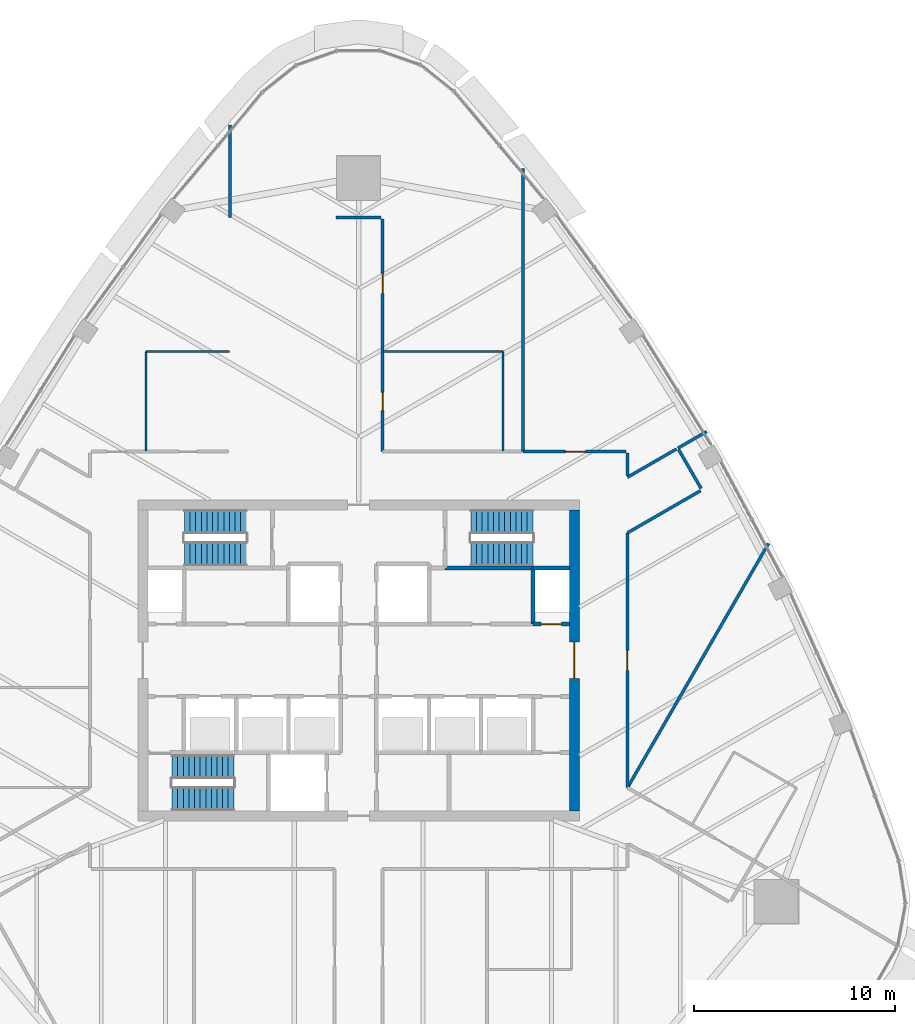
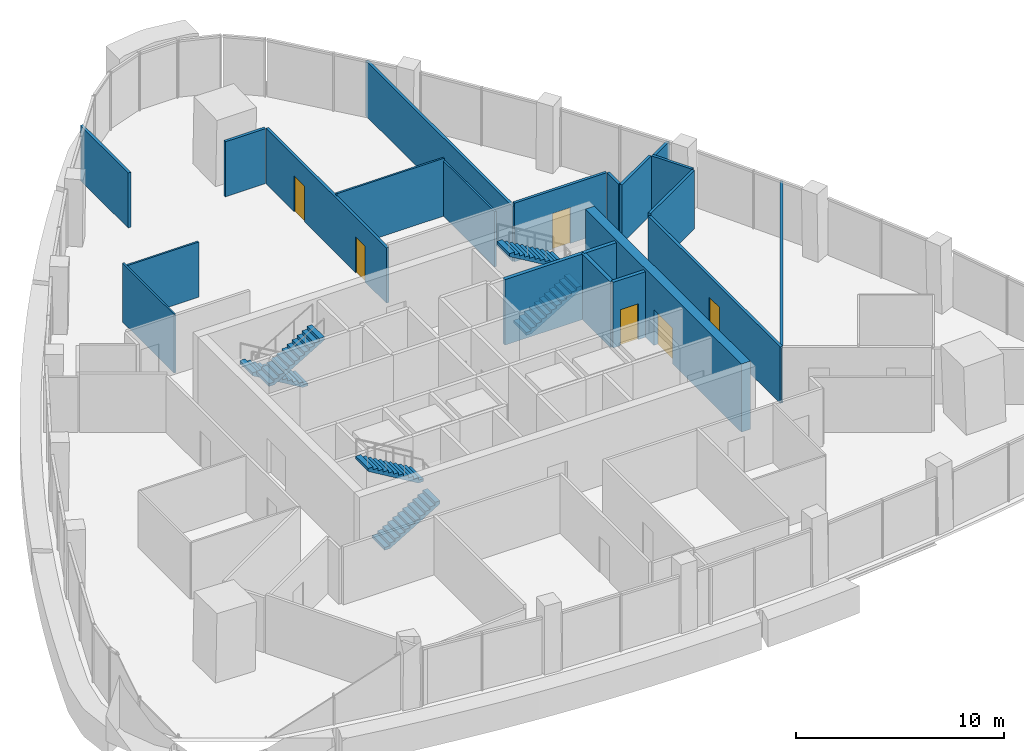
# One storey, part 11 of 15: 21 walls, 6 doors, 6 stair flights, 6 openings, 3 elements without a shape of their own.
"""IFC4 building model written with IfcOpenShell, lengths in metres."""

import ifcopenshell
import ifcopenshell.guid

model = None  # the IFC model being written
_history = None  # IfcOwnerHistory: only IFC2X3 demands one
_inside = {}  # id of a spatial element -> (the spatial element, [elements in it])
_under = {}  # id of a project, library or spatial element -> (it, [spatial elements below it])
_declared = {}  # id of a project -> (the project, [libraries it declares])
_typed = {}  # id of a type object -> (the type object, [elements of that type])
_made_of = {}  # id of a material, layer set ... -> (it, [elements and type objects made of it])


def new_model(schema):
    """Start an empty IFC model of exactly this schema.

    Asked for "IFC4X3", IfcOpenShell would pick the latest addendum, in which some entities
    have other attributes; the version numbers below select the first issue.
    IFC2X3 requires an IfcOwnerHistory on every rooted entity: one is made here for all.
    """
    global model, _history
    if schema == "IFC4X3":
        model = ifcopenshell.file(schema_version=(4, 3, 0, 0))
    else:
        model = ifcopenshell.file(schema=schema)
    _inside.clear()
    _under.clear()
    _declared.clear()
    _typed.clear()
    _made_of.clear()
    _history = None
    if model.schema == "IFC2X3":
        org = make("IfcOrganization", Name="unknown")
        user = make(
            "IfcPersonAndOrganization",
            ThePerson=make("IfcPerson", FamilyName="unknown"),
            TheOrganization=org,
        )
        app = make(
            "IfcApplication",
            ApplicationDeveloper=org,
            Version="unknown",
            ApplicationFullName="unknown",
            ApplicationIdentifier="unknown",
        )
        _history = make(
            "IfcOwnerHistory",
            OwningUser=user,
            OwningApplication=app,
            ChangeAction="ADDED",
            CreationDate=0,
        )
    return model


def make(cls, **values):
    """One entity of the class cls with the attributes given. An attribute that is None is left unset."""
    return model.create_entity(
        cls, **{name: value for name, value in values.items() if value is not None}
    )


def rooted(cls, **values):
    """An entity with a GlobalId (a new one), such as an element, a storey or a relation."""
    return make(cls, GlobalId=ifcopenshell.guid.new(), OwnerHistory=_history, **values)


def si_unit(unit_type, name, prefix=None):
    """IfcSIUnit, for example si_unit("LENGTHUNIT", "METRE", prefix="MILLI")."""
    return make("IfcSIUnit", UnitType=unit_type, Prefix=prefix, Name=name)


def assignment(units):
    """IfcUnitAssignment: the units of a project."""
    return None if units is None else make("IfcUnitAssignment", Units=units)


def point(xyz):
    """IfcCartesianPoint."""
    return None if xyz is None else make("IfcCartesianPoint", Coordinates=xyz)


def direction(xyz):
    """IfcDirection."""
    return None if xyz is None else make("IfcDirection", DirectionRatios=xyz)


def frame(location, z_axis=None, x_axis=None):
    """IfcAxis2Placement3D, a coordinate frame: its origin and axes. An axis left out is left unset."""
    return make(
        "IfcAxis2Placement3D",
        Location=point(location),
        Axis=direction(z_axis),
        RefDirection=direction(x_axis),
    )


def frame_2d(location, x_axis=None):
    """IfcAxis2Placement2D, a coordinate frame in the plane: its origin and x axis."""
    return make(
        "IfcAxis2Placement2D", Location=point(location), RefDirection=direction(x_axis)
    )


def origin():
    """The frame at (0, 0, 0) with its axes left unset."""
    return frame((0.0, 0.0, 0.0))


def place(relative_to, where):
    """IfcLocalPlacement: puts the frame where relative to a parent placement (None: the world)."""
    return make(
        "IfcLocalPlacement", PlacementRelTo=relative_to, RelativePlacement=where
    )


def context(
    kind, dimensions, precision=None, world=None, true_north=None, identifier=None
):
    """IfcGeometricRepresentationContext, for example the 3D "Model" context."""
    return make(
        "IfcGeometricRepresentationContext",
        ContextIdentifier=identifier,
        ContextType=kind,
        CoordinateSpaceDimension=dimensions,
        Precision=precision,
        WorldCoordinateSystem=world,
        TrueNorth=true_north,
    )


def subcontext(parent, identifier, kind, view, scale=None):
    """IfcGeometricRepresentationSubContext, for example "Body" below "Model"."""
    return make(
        "IfcGeometricRepresentationSubContext",
        ContextIdentifier=identifier,
        ContextType=kind,
        ParentContext=parent,
        TargetScale=scale,
        TargetView=view,
    )


def project(units=None, contexts=None):
    """IfcProject with its units and contexts."""
    return rooted(
        "IfcProject",
        Name="project",
        RepresentationContexts=contexts,
        UnitsInContext=assignment(units),
    )


def spatial(cls, under=None, at=None, **own):
    """A site, building, storey or space (cls), placed at a placement, below another one or the project."""
    s = rooted(cls, ObjectPlacement=at, **own)
    if under is not None:
        _under.setdefault(under.id(), (under, []))[1].append(s)
    return s


def polyline(points):
    """IfcPolyline through the points."""
    return make("IfcPolyline", Points=[point(p) for p in points])


def profile(cls, at=None, kind="AREA", **sizes):
    """A parametric profile (cls). Its sizes go by their IFC names, for example OverallWidth=200.0."""
    return make(cls, ProfileType=kind, Position=at, **sizes)


def rectangle(**sizes):
    """IfcRectangleProfileDef."""
    return profile("IfcRectangleProfileDef", **sizes)


def outline(outer, holes=None, kind="AREA"):
    """IfcArbitraryClosedProfileDef: a profile drawn as a closed curve; with holes, ...WithVoids."""
    if holes is None:
        return make("IfcArbitraryClosedProfileDef", ProfileType=kind, OuterCurve=outer)
    return make(
        "IfcArbitraryProfileDefWithVoids",
        ProfileType=kind,
        OuterCurve=outer,
        InnerCurves=holes,
    )


def extrude(swept, where, along, depth):
    """IfcExtrudedAreaSolid: the profile swept, set in the frame where, extruded along a direction by depth."""
    return make(
        "IfcExtrudedAreaSolid",
        SweptArea=swept,
        Position=where,
        ExtrudedDirection=direction(along),
        Depth=depth,
    )


def shape(context_of_items, identifier, shape_type, items):
    """IfcShapeRepresentation: the items that make up one representation, for example the "Body"."""
    return make(
        "IfcShapeRepresentation",
        ContextOfItems=context_of_items,
        RepresentationIdentifier=identifier,
        RepresentationType=shape_type,
        Items=items,
    )


def material(Name=None, Category=None):
    """IfcMaterial."""
    return make("IfcMaterial", Name=Name, Category=Category)


def layer(
    of_material, thickness, ventilated=None, Name=None, Category=None, Priority=None
):
    """IfcMaterialLayer: one layer of a wall or slab, of a material (None: an air gap)."""
    return make(
        "IfcMaterialLayer",
        Material=of_material,
        LayerThickness=thickness,
        IsVentilated=ventilated,
        Name=Name,
        Category=Category,
        Priority=Priority,
    )


def layer_set(layers, Name=None):
    """IfcMaterialLayerSet."""
    return make("IfcMaterialLayerSet", MaterialLayers=layers, LayerSetName=Name)


def made_of(thing, what):
    """Note that an element or type object is made of a material, layer set ...; save() writes the relation."""
    if what is not None:
        _made_of.setdefault(what.id(), (what, []))[1].append(thing)
    return thing


def type_object(cls, material=None, **own):
    """A type object (cls), such as IfcWallType, which elements share."""
    return made_of(rooted(cls, **own), material)


def element(
    cls,
    number,
    at=None,
    inside=None,
    cuts=None,
    type_object=None,
    material=None,
    context=None,
    identifier="Body",
    shape_type=None,
    held_by="IfcProductDefinitionShape",
    body=None,
    shapes=None,
    **own,
):
    """One element of the class cls, such as IfcWall. Its Tag is "e" and its number.

    at: its placement. inside: the storey or other place that contains it. cuts: it is an
    opening in that element (IfcRelVoidsElement). A single representation is given by context,
    identifier, shape_type and body (its items); several are given by shapes. held_by: the class
    of the entity that holds the representations. save() writes the other relations.
    """
    e = rooted(cls, Tag="e%d" % number, ObjectPlacement=at, **own)
    if body is not None:
        shapes = [shape(context, identifier, shape_type, body)]
    if shapes is not None:
        e.Representation = make(held_by, Representations=shapes)
    if inside is not None:
        _inside.setdefault(inside.id(), (inside, []))[1].append(e)
    if cuts is not None:
        rooted(
            "IfcRelVoidsElement", RelatingBuildingElement=cuts, RelatedOpeningElement=e
        )
    if type_object is not None:
        _typed.setdefault(type_object.id(), (type_object, []))[1].append(e)
    return made_of(e, material)


def fill(opening, filler):
    """IfcRelFillsElement: the door or window that sits in an opening."""
    return rooted(
        "IfcRelFillsElement",
        RelatingOpeningElement=opening,
        RelatedBuildingElement=filler,
    )


def aggregate(whole, parts):
    """IfcRelAggregates: a whole, such as a stair, and the parts it consists of."""
    return rooted("IfcRelAggregates", RelatingObject=whole, RelatedObjects=parts)


def save(model, path):
    """Write the relations noted so far, then the file.

    IfcRelAggregates (storeys below a building ...), IfcRelContainedInSpatialStructure (elements
    in a storey), IfcRelDefinesByType, IfcRelAssociatesMaterial and IfcRelDeclares: one each for
    every whole, place, type object, material and project.
    """
    for whole, parts in _under.values():
        aggregate(whole, parts)
    for where, things in _inside.values():
        rooted(
            "IfcRelContainedInSpatialStructure",
            RelatedElements=things,
            RelatingStructure=where,
        )
    for kind, things in _typed.values():
        rooted("IfcRelDefinesByType", RelatedObjects=things, RelatingType=kind)
    for what, things in _made_of.values():
        rooted("IfcRelAssociatesMaterial", RelatedObjects=things, RelatingMaterial=what)
    for by, libraries in _declared.values():
        rooted("IfcRelDeclares", RelatingContext=by, RelatedDefinitions=libraries)
    model.write(path)


model = new_model("IFC4")

# Units and contexts
model_context = context("Model", 3, precision=1e-05, world=origin(), true_north=direction((0.0, 1.0)))
body_context = subcontext(model_context, "Body", "Model", "MODEL_VIEW")
ifc_project = project(units=[si_unit("LENGTHUNIT", "METRE"), si_unit("AREAUNIT", "SQUARE_METRE"), si_unit("VOLUMEUNIT", "CUBIC_METRE"), si_unit("PLANEANGLEUNIT", "RADIAN"), si_unit("MASSUNIT", "GRAM", prefix="KILO")], contexts=[model_context])

# Site, building, storey
site_placement = place(None, origin())
site = spatial("IfcSite", under=ifc_project, at=site_placement, CompositionType="ELEMENT")
building_placement = place(site_placement, origin())
building = spatial("IfcBuilding", under=site, at=building_placement, Name="Sierra Prisma Convention Tower", CompositionType="ELEMENT")
storey_placement = place(building_placement, frame((0.0, 0.0, 283.0)))
storey = spatial("IfcBuildingStorey", under=building, at=storey_placement, Name="L64", CompositionType="ELEMENT", Elevation=283.0)

# Walls
ifc_material_1 = material(Name="Gypsum board partition", Category="gypsum")
ifc_layer_1 = layer(ifc_material_1, 0.10009765625)
ifc_layer_set_1 = layer_set([ifc_layer_1], Name="Bathroom partition 100")
wall_type_1 = type_object("IfcWallType", Name="Bathroom partition 100", PredefinedType="PARTITIONING", material=ifc_layer_set_1)
wall_1_placement = place(storey_placement, frame((-10.60009765625, 10.429931640625, 0.0), z_axis=(0.0, 0.0, 1.0), x_axis=(0.0, 1.0, 0.0)))
element("IfcWall", 1, at=wall_1_placement, inside=storey, type_object=wall_type_1, Name="Partition L64 bath 4", PredefinedType="PARTITIONING", context=body_context, shape_type="SweptSolid", body=[
    extrude(rectangle(XDim=4.969970703125, YDim=0.10009765625, at=frame_2d((2.48486328125, 0.0))), origin(), (0.0, 0.0, 1.0), 3.449951171875),
])
wall_2_placement = place(storey_placement, frame((-10.60009765625, 15.39990234375, 0.0), z_axis=(0.0, 0.0, 1.0), x_axis=(1.0, 0.0, 0.0)))
element("IfcWall", 2, at=wall_2_placement, inside=storey, type_object=wall_type_1, Name="Partition L64 bath 5", PredefinedType="PARTITIONING", context=body_context, shape_type="SweptSolid", body=[
    extrude(rectangle(XDim=4.170166015625, YDim=0.10009765625, at=frame_2d((2.0849609375, 0.0))), origin(), (0.0, 0.0, 1.0), 3.2470703125),
])
wall_3_placement = place(storey_placement, frame((1.22998046875, 15.39990234375, 0.0), z_axis=(0.0, 0.0, 1.0), x_axis=(1.0, 0.0, 0.0)))
element("IfcWall", 3, at=wall_3_placement, inside=storey, type_object=wall_type_1, Name="Partition L64 bath 6", PredefinedType="PARTITIONING", context=body_context, shape_type="SweptSolid", body=[
    extrude(rectangle(XDim=5.969970703125, YDim=0.10009765625, at=frame_2d((2.98486328125, 0.0))), origin(), (0.0, 0.0, 1.0), 3.39306640625),
])
wall_4_placement = place(storey_placement, frame((7.199951171875, 15.39990234375, 0.0), z_axis=(0.0, 0.0, 1.0), x_axis=(0.0, -1.0, 0.0)))
element("IfcWall", 4, at=wall_4_placement, inside=storey, type_object=wall_type_1, Name="Partition L64 bath 7", PredefinedType="PARTITIONING", context=body_context, shape_type="SweptSolid", body=[
    extrude(rectangle(XDim=4.969970703125, YDim=0.10009765625, at=frame_2d((2.48486328125, 0.0))), origin(), (0.0, 0.0, 1.0), 3.2470703125),
])
ifc_material_2 = material(Name="Concrete C30/37", Category="concrete")
ifc_layer_2 = layer(ifc_material_2, 0.199951171875)
ifc_layer_set_2 = layer_set([ifc_layer_2], Name="Core wall RC 200 C30/37")
wall_type_2 = type_object("IfcWallType", Name="Core wall RC 200 C30/37", PredefinedType="SOLIDWALL", material=ifc_layer_set_2)
wall_5_placement = place(storey_placement, frame((8.699951171875, 4.60009765625, 0.0), z_axis=(0.0, 0.0, 1.0), x_axis=(-1.0, 0.0, 0.0)))
element("IfcWall", 5, at=wall_5_placement, inside=storey, type_object=wall_type_2, Name="Core wall L64 47", PredefinedType="SOLIDWALL", context=body_context, shape_type="SweptSolid", body=[
    extrude(rectangle(XDim=4.39990234375, YDim=0.199951171875, at=frame_2d((2.199951171875, 0.0))), origin(), (0.0, 0.0, 1.0), 3.85009765625),
])

# Wall, opening, door
wall_6_placement = place(storey_placement, frame((10.5, 1.800048828125, 0.0), z_axis=(0.0, 0.0, 1.0), x_axis=(-1.0, 0.0, 0.0)))
wall_6 = element("IfcWall", 6, at=wall_6_placement, inside=storey, type_object=wall_type_2, Name="Core wall L64 57", PredefinedType="SOLIDWALL", context=body_context, shape_type="SweptSolid", body=[
    extrude(rectangle(XDim=1.800048828125, YDim=0.199951171875, at=frame_2d((0.89990234375, 0.0))), origin(), (0.0, 0.0, 1.0), 3.85009765625),
])
opening_1_placement = place(wall_6_placement, frame((0.39990234375, 0.0, 0.0)))
opening_1 = element("IfcOpeningElement", 7, at=opening_1_placement, cuts=wall_6, Name="Opening L64-D016", PredefinedType="OPENING", context=body_context, shape_type="SweptSolid", body=[
    extrude(rectangle(XDim=1.0, YDim=2.10009765625, at=frame_2d((0.5, 1.050048828125))), frame((0.0, 0.10009765625, 0.0), z_axis=(0.0, -1.0, 0.0), x_axis=(1.0, 0.0, 0.0)), (0.0, 0.0, 1.0), 0.199951171875),
])
ifc_material_3 = material(Name="Steel fire door leaf", Category="steel")
door_type_1 = type_object("IfcDoorType", Name="Door 1000x2100 FD60S", OperationType="SINGLE_SWING_LEFT", PredefinedType="DOOR", material=ifc_material_3)
door_1_placement = place(opening_1_placement, origin())
door_1 = element("IfcDoor", 8, at=door_1_placement, inside=storey, type_object=door_type_1, Name="Door L64 31", OperationType="SINGLE_SWING_LEFT", OverallHeight=2.10009765625, OverallWidth=1.0, PredefinedType="DOOR", context=body_context, shape_type="SweptSolid", body=[
    extrude(rectangle(XDim=1.0, YDim=2.10009765625, at=frame_2d((0.5, 1.050048828125))), frame((0.0, 0.02490234375, 0.0), z_axis=(0.0, -1.0, 0.0), x_axis=(1.0, 0.0, 0.0)), (0.0, 0.0, 1.0), 0.050048828125),
])
fill(opening_1, door_1)

# Walls
wall_7_placement = place(storey_placement, frame((8.699951171875, 1.800048828125, 0.0), z_axis=(0.0, 0.0, 1.0), x_axis=(0.0, 1.0, 0.0)))
element("IfcWall", 9, at=wall_7_placement, inside=storey, type_object=wall_type_2, Name="Core wall L64 58", PredefinedType="SOLIDWALL", context=body_context, shape_type="SweptSolid", body=[
    extrude(rectangle(XDim=2.800048828125, YDim=0.199951171875, at=frame_2d((1.39990234375, 0.0))), origin(), (0.0, 0.0, 1.0), 3.85009765625),
])
wall_8_placement = place(storey_placement, frame((10.5, 4.60009765625, 0.0), z_axis=(0.0, 0.0, 1.0), x_axis=(-1.0, 0.0, 0.0)))
element("IfcWall", 10, at=wall_8_placement, inside=storey, type_object=wall_type_2, Name="Core wall L64 59", PredefinedType="SOLIDWALL", context=body_context, shape_type="SweptSolid", body=[
    extrude(rectangle(XDim=1.800048828125, YDim=0.199951171875, at=frame_2d((0.89990234375, 0.0))), origin(), (0.0, 0.0, 1.0), 3.85009765625),
])

# Wall, opening, door
ifc_material_4 = material(Name="Concrete C50/60", Category="concrete")
ifc_layer_3 = layer(ifc_material_4, 0.5)
ifc_layer_set_3 = layer_set([ifc_layer_3], Name="Core wall RC 500 C50/60")
wall_type_3 = type_object("IfcWallType", Name="Core wall RC 500 C50/60", PredefinedType="SHEAR", material=ifc_layer_set_3)
wall_9_placement = place(storey_placement, frame((10.75, -7.5, 0.0), z_axis=(0.0, 0.0, 1.0), x_axis=(0.0, 1.0, 0.0)))
wall_9 = element("IfcWall", 11, at=wall_9_placement, inside=storey, type_object=wall_type_3, Name="Core wall E L64", PredefinedType="SHEAR", context=body_context, shape_type="SweptSolid", body=[
    extrude(rectangle(XDim=15.0, YDim=0.5, at=frame_2d((7.5, 0.0))), origin(), (0.0, 0.0, 1.0), 4.0),
])
opening_2_placement = place(wall_9_placement, frame((6.60009765625, 0.0, 0.0)))
opening_2 = element("IfcOpeningElement", 12, at=opening_2_placement, cuts=wall_9, Name="Opening L64-D040", PredefinedType="OPENING", context=body_context, shape_type="SweptSolid", body=[
    extrude(rectangle(XDim=1.800048828125, YDim=2.10009765625, at=frame_2d((0.89990234375, 1.050048828125))), frame((0.0, 0.25, 0.0), z_axis=(0.0, -1.0, 0.0), x_axis=(1.0, 0.0, 0.0)), (0.0, 0.0, 1.0), 0.5),
])
ifc_material_5 = material(Name="Steel fire door leaf", Category="steel")
door_type_2 = type_object("IfcDoorType", Name="Door 1800x2100 FD60S", OperationType="DOUBLE_DOOR_SINGLE_SWING", PredefinedType="DOOR", material=ifc_material_5)
door_2_placement = place(opening_2_placement, origin())
door_2 = element("IfcDoor", 13, at=door_2_placement, inside=storey, type_object=door_type_2, Name="Door L64 41", OperationType="DOUBLE_DOOR_SINGLE_SWING", OverallHeight=2.10009765625, OverallWidth=1.800048828125, PredefinedType="DOOR", context=body_context, shape_type="SweptSolid", body=[
    extrude(rectangle(XDim=1.800048828125, YDim=2.10009765625, at=frame_2d((0.89990234375, 1.050048828125))), frame((0.0, 0.02490234375, 0.0), z_axis=(0.0, -1.0, 0.0), x_axis=(1.0, 0.0, 0.0)), (0.0, 0.0, 1.0), 0.050048828125),
])
fill(opening_2, door_2)

# Wall
ifc_material_6 = material(Name="Gypsum board partition", Category="gypsum")
ifc_layer_4 = layer(ifc_material_6, 0.14990234375)
ifc_layer_set_4 = layer_set([ifc_layer_4], Name="Corridor wall 150 gypsum EI 60")
wall_type_4 = type_object("IfcWallType", Name="Corridor wall 150 gypsum EI 60", PredefinedType="PARTITIONING", material=ifc_layer_set_4)
wall_10_placement = place(storey_placement, frame((1.1201171875, 22.06884765625, 0.0), z_axis=(0.0, 0.0, 1.0), x_axis=(-1.0, 0.0, 0.0)))
element("IfcWall", 14, at=wall_10_placement, inside=storey, type_object=wall_type_4, Name="Partition L64 corr 14", PredefinedType="PARTITIONING", context=body_context, shape_type="SweptSolid", body=[
    extrude(rectangle(XDim=2.240234375, YDim=0.14990234375, at=frame_2d((1.1201171875, 0.0))), origin(), (0.0, 0.0, 1.0), 3.23291015625),
])

# Wall, openings, doors
wall_11_placement = place(storey_placement, frame((1.199951171875, 10.39990234375, 0.0), z_axis=(0.0, 0.0, 1.0), x_axis=(0.0, 1.0, 0.0)))
wall_11 = element("IfcWall", 15, at=wall_11_placement, inside=storey, type_object=wall_type_4, Name="Partition L64 corr 18", PredefinedType="PARTITIONING", context=body_context, shape_type="SweptSolid", body=[
    extrude(rectangle(XDim=11.589111328125, YDim=0.14990234375, at=frame_2d((5.79443359375, 0.0))), origin(), (0.0, 0.0, 1.0), 3.2470703125),
])
opening_3_placement = place(wall_11_placement, frame((2.050048828125, 0.0, 0.0)))
opening_3 = element("IfcOpeningElement", 16, at=opening_3_placement, cuts=wall_11, Name="Opening L64-D027", PredefinedType="OPENING", context=body_context, shape_type="SweptSolid", body=[
    extrude(rectangle(XDim=0.89990234375, YDim=2.10009765625, at=frame_2d((0.449951171875, 1.050048828125))), frame((0.0, 0.074951171875, 0.0), z_axis=(0.0, -1.0, 0.0), x_axis=(1.0, 0.0, 0.0)), (0.0, 0.0, 1.0), 0.14990234375),
])
opening_4_placement = place(wall_11_placement, frame((7.884521484375, 0.0, 0.0)))
opening_4 = element("IfcOpeningElement", 17, at=opening_4_placement, cuts=wall_11, Name="Opening L64-D028", PredefinedType="OPENING", context=body_context, shape_type="SweptSolid", body=[
    extrude(rectangle(XDim=1.0, YDim=2.10009765625, at=frame_2d((0.5, 1.050048828125))), frame((0.0, 0.074951171875, 0.0), z_axis=(0.0, -1.0, 0.0), x_axis=(1.0, 0.0, 0.0)), (0.0, 0.0, 1.0), 0.14990234375),
])
ifc_material_7 = material(Name="Steel fire door leaf", Category="steel")
door_type_3 = type_object("IfcDoorType", Name="Door 1000x2100 FD30S", OperationType="SINGLE_SWING_LEFT", PredefinedType="DOOR", material=ifc_material_7)
door_3_placement = place(opening_4_placement, origin())
door_3 = element("IfcDoor", 18, at=door_3_placement, inside=storey, type_object=door_type_3, Name="Door L64 4", OperationType="SINGLE_SWING_LEFT", OverallHeight=2.10009765625, OverallWidth=1.0, PredefinedType="DOOR", context=body_context, shape_type="SweptSolid", body=[
    extrude(rectangle(XDim=1.0, YDim=2.10009765625, at=frame_2d((0.5, 1.050048828125))), frame((0.0, 0.02490234375, 0.0), z_axis=(0.0, -1.0, 0.0), x_axis=(1.0, 0.0, 0.0)), (0.0, 0.0, 1.0), 0.050048828125),
])
fill(opening_4, door_3)
ifc_material_8 = material(Name="Steel fire door leaf", Category="steel")
door_type_4 = type_object("IfcDoorType", Name="Door 900x2100 FD30S", OperationType="SINGLE_SWING_LEFT", PredefinedType="DOOR", material=ifc_material_8)
door_4_placement = place(opening_3_placement, origin())
door_4 = element("IfcDoor", 19, at=door_4_placement, inside=storey, type_object=door_type_4, Name="Door L64 3", OperationType="SINGLE_SWING_RIGHT", OverallHeight=2.10009765625, OverallWidth=0.89990234375, PredefinedType="DOOR", context=body_context, shape_type="SweptSolid", body=[
    extrude(rectangle(XDim=0.89990234375, YDim=2.10009765625, at=frame_2d((0.449951171875, 1.050048828125))), frame((0.0, 0.02490234375, 0.0), z_axis=(0.0, -1.0, 0.0), x_axis=(1.0, 0.0, 0.0)), (0.0, 0.0, 1.0), 0.050048828125),
])
fill(opening_3, door_4)

# Wall, opening, door
wall_12_placement = place(storey_placement, frame((13.320068359375, 10.39990234375, 0.0), z_axis=(0.0, 0.0, 1.0), x_axis=(-1.0, 0.0, 0.0)))
wall_12 = element("IfcWall", 20, at=wall_12_placement, inside=storey, type_object=wall_type_4, Name="Partition L64 corr 19", PredefinedType="PARTITIONING", context=body_context, shape_type="SweptSolid", body=[
    extrude(rectangle(XDim=5.1201171875, YDim=0.14990234375, at=frame_2d((2.56005859375, 0.0))), origin(), (0.0, 0.0, 1.0), 3.443115234375),
])
opening_5_placement = place(wall_12_placement, frame((2.02001953125, 0.0, 0.0)))
opening_5 = element("IfcOpeningElement", 21, at=opening_5_placement, cuts=wall_12, Name="Opening L64-D026", PredefinedType="OPENING", context=body_context, shape_type="SweptSolid", body=[
    extrude(rectangle(XDim=1.0, YDim=2.10009765625, at=frame_2d((0.5, 1.050048828125))), frame((0.0, 0.074951171875, 0.0), z_axis=(0.0, -1.0, 0.0), x_axis=(1.0, 0.0, 0.0)), (0.0, 0.0, 1.0), 0.14990234375),
])
door_5_placement = place(opening_5_placement, origin())
door_5 = element("IfcDoor", 22, at=door_5_placement, inside=storey, type_object=door_type_3, Name="Door L64 2", OperationType="SINGLE_SWING_LEFT", OverallHeight=2.10009765625, OverallWidth=1.0, PredefinedType="DOOR", context=body_context, shape_type="SweptSolid", body=[
    extrude(rectangle(XDim=1.0, YDim=2.10009765625, at=frame_2d((0.5, 1.050048828125))), frame((0.0, 0.02490234375, 0.0), z_axis=(0.0, -1.0, 0.0), x_axis=(1.0, 0.0, 0.0)), (0.0, 0.0, 1.0), 0.050048828125),
])
fill(opening_5, door_5)

wall_13_placement = place(storey_placement, frame((13.39990234375, -6.350830078125, 0.0), z_axis=(0.0, 0.0, 1.0), x_axis=(0.0, 1.0, 0.0)))
wall_13 = element("IfcWall", 23, at=wall_13_placement, inside=storey, type_object=wall_type_4, Name="Partition L64 corr 22", PredefinedType="PARTITIONING", context=body_context, shape_type="SweptSolid", body=[
    extrude(rectangle(XDim=12.70166015625, YDim=0.14990234375, at=frame_2d((6.350830078125, 0.0))), origin(), (0.0, 0.0, 1.0), 3.31689453125),
])
opening_6_placement = place(wall_13_placement, frame((5.850830078125, 0.0, 0.0)))
opening_6 = element("IfcOpeningElement", 24, at=opening_6_placement, cuts=wall_13, Name="Opening L64-D025", PredefinedType="OPENING", context=body_context, shape_type="SweptSolid", body=[
    extrude(rectangle(XDim=1.0, YDim=2.10009765625, at=frame_2d((0.5, 1.050048828125))), frame((0.0, 0.074951171875, 0.0), z_axis=(0.0, -1.0, 0.0), x_axis=(1.0, 0.0, 0.0)), (0.0, 0.0, 1.0), 0.14990234375),
])
door_6_placement = place(opening_6_placement, origin())
door_6 = element("IfcDoor", 25, at=door_6_placement, inside=storey, type_object=door_type_3, Name="Door L64 1", OperationType="SINGLE_SWING_RIGHT", OverallHeight=2.10009765625, OverallWidth=1.0, PredefinedType="DOOR", context=body_context, shape_type="SweptSolid", body=[
    extrude(rectangle(XDim=1.0, YDim=2.10009765625, at=frame_2d((0.5, 1.050048828125))), frame((0.0, 0.02490234375, 0.0), z_axis=(0.0, -1.0, 0.0), x_axis=(1.0, 0.0, 0.0)), (0.0, 0.0, 1.0), 0.050048828125),
])
fill(opening_6, door_6)

# Walls
wall_14_placement = place(storey_placement, frame((13.39990234375, 6.350830078125, 0.0), z_axis=(0.0, 0.0, 1.0), x_axis=(0.866026021477, 0.499998930123, 0.0)))
element("IfcWall", 26, at=wall_14_placement, inside=storey, type_object=wall_type_4, Name="Partition L64 corr 23", PredefinedType="PARTITIONING", context=body_context, shape_type="SweptSolid", body=[
    extrude(rectangle(XDim=4.2041015625, YDim=0.14990234375, at=frame_2d((2.10205078125, 0.0))), origin(), (0.0, 0.0, 1.0), 3.449951171875),
])
wall_15_placement = place(storey_placement, frame((15.8408203125, 10.53125, 0.0), z_axis=(0.0, 0.0, 1.0), x_axis=(-0.866038455972, -0.499977392266, 0.0)))
element("IfcWall", 27, at=wall_15_placement, inside=storey, type_object=wall_type_4, Name="Partition L64 corr 25", PredefinedType="PARTITIONING", context=body_context, shape_type="SweptSolid", body=[
    extrude(rectangle(XDim=2.818603515625, YDim=0.14990234375, at=frame_2d((1.4091796875, 0.0))), origin(), (0.0, 0.0, 1.0), 3.449951171875),
])
wall_16_placement = place(storey_placement, frame((13.39990234375, 9.213623046875, 0.0), z_axis=(0.0, 0.0, 1.0), x_axis=(0.0, 1.0, 0.0)))
element("IfcWall", 28, at=wall_16_placement, inside=storey, type_object=wall_type_4, Name="Partition L64 corr 26", PredefinedType="PARTITIONING", context=body_context, shape_type="SweptSolid", body=[
    extrude(rectangle(XDim=1.1064453125, YDim=0.14990234375, at=frame_2d((0.55322265625, 0.0))), origin(), (0.0, 0.0, 1.0), 3.449951171875),
])
wall_17_placement = place(storey_placement, frame((17.070068359375, 8.562255859375, 0.0), z_axis=(0.0, 0.0, 1.0), x_axis=(-0.49994888933, 0.866054910533, 0.0)))
element("IfcWall", 29, at=wall_17_placement, inside=storey, type_object=wall_type_4, Name="Partition L64 corr 27", PredefinedType="PARTITIONING", context=body_context, shape_type="SweptSolid", body=[
    extrude(rectangle(XDim=2.239990234375, YDim=0.14990234375, at=frame_2d((1.1201171875, 0.0))), origin(), (0.0, 0.0, 1.0), 3.449951171875),
])
ifc_material_9 = material(Name="Gypsum board partition", Category="gypsum")
ifc_layer_5 = layer(ifc_material_9, 0.14990234375)
ifc_layer_set_5 = layer_set([ifc_layer_5], Name="Party wall 150 gypsum")
wall_type_5 = type_object("IfcWallType", Name="Party wall 150 gypsum", PredefinedType="PARTITIONING", material=ifc_layer_set_5)
wall_18_placement = place(storey_placement, frame((-6.39990234375, 22.06884765625, 0.0), z_axis=(0.0, 0.0, 1.0), x_axis=(0.0, 1.0, 0.0)))
element("IfcWall", 30, at=wall_18_placement, inside=storey, type_object=wall_type_5, Name="Partition L64 party 6", PredefinedType="PARTITIONING", context=body_context, shape_type="SweptSolid", body=[
    extrude(rectangle(XDim=4.609130859375, YDim=0.14990234375, at=frame_2d((2.3046875, 0.0))), origin(), (0.0, 0.0, 1.0), 3.23388671875),
])
wall_19_placement = place(storey_placement, frame((8.199951171875, 10.39990234375, 0.0), z_axis=(0.0, 0.0, 1.0), x_axis=(0.0, 1.0, 0.0)))
element("IfcWall", 31, at=wall_19_placement, inside=storey, type_object=wall_type_5, Name="Partition L64 party 10", PredefinedType="PARTITIONING", context=body_context, shape_type="SweptSolid", body=[
    extrude(rectangle(XDim=14.119140625, YDim=0.14990234375, at=frame_2d((7.0595703125, 0.0))), origin(), (0.0, 0.0, 1.0), 3.23388671875),
])
wall_20_placement = place(storey_placement, frame((20.42822265625, 5.822509765625, 0.0), z_axis=(0.0, 0.0, 1.0), x_axis=(-0.500002095642, -0.866024193862, 0.0)))
element("IfcWall", 32, at=wall_20_placement, inside=storey, type_object=wall_type_5, Name="Partition L64 party 11", PredefinedType="PARTITIONING", context=body_context, shape_type="SweptSolid", body=[
    extrude(rectangle(XDim=14.056640625, YDim=0.14990234375, at=frame_2d((7.0283203125, 0.0))), origin(), (0.0, 0.0, 1.0), 3.23388671875),
])
wall_21_placement = place(storey_placement, frame((15.91015625, 10.5712890625, 0.0), z_axis=(0.0, 0.0, 1.0), x_axis=(0.865947382072, 0.500135113228, 0.0)))
element("IfcWall", 33, at=wall_21_placement, inside=storey, type_object=wall_type_5, Name="Partition L64 party 12", PredefinedType="PARTITIONING", context=body_context, shape_type="SweptSolid", body=[
    extrude(rectangle(XDim=1.65576171875, YDim=0.14990234375, at=frame_2d((0.827880859375, 0.0))), origin(), (0.0, 0.0, 1.0), 3.23388671875),
])

# Stair, stair flights
ifc_material_10 = material(Name="Concrete C30/37", Category="concrete")
stair_type = type_object("IfcStairType", Name="Stair dog-leg 1200 RC", PredefinedType="HALF_TURN_STAIR", material=ifc_material_10)
stair_1_placement = place(storey_placement, origin())
stair_1 = element("IfcStair", 34, at=stair_1_placement, inside=storey, type_object=stair_type, Name="L64 S1", PredefinedType="HALF_TURN_STAIR")
ifc_material_11 = material(Name="Concrete C30/37", Category="concrete")
stair_flight_type = type_object("IfcStairFlightType", Name="Stair flight RC 1200", PredefinedType="STRAIGHT", material=ifc_material_11)
stair_flight_1_placement = place(storey_placement, frame((-9.300048828125, -6.89990234375, 0.0), z_axis=(0.0, 0.0, 1.0), x_axis=(1.0, 0.0, 0.0)))
stair_flight_1 = element("IfcStairFlight", 35, at=stair_flight_1_placement, type_object=stair_flight_type, Name="S1 flight 1", NumberOfRisers=12, NumberOfTreads=11, PredefinedType="STRAIGHT", RiserHeight=0.166666667, TreadLength=0.28, context=body_context, shape_type="SweptSolid", body=[
    extrude(outline(polyline([(0.0, 0.0), (0.0, 0.166748046875), (0.280029296875, 0.166748046875), (0.280029296875, 0.333251953125), (0.56005859375, 0.333251953125), (0.56005859375, 0.5), (0.840087890625, 0.5), (0.840087890625, 0.666748046875), (1.1201171875, 0.666748046875), (1.1201171875, 0.833251953125), (1.39990234375, 0.833251953125), (1.39990234375, 1.0), (1.679931640625, 1.0), (1.679931640625, 1.166748046875), (1.9599609375, 1.166748046875), (1.9599609375, 1.333251953125), (2.239990234375, 1.333251953125), (2.239990234375, 1.5), (2.52001953125, 1.5), (2.52001953125, 1.666748046875), (2.800048828125, 1.666748046875), (2.800048828125, 1.833251953125), (3.080078125, 1.833251953125), (3.080078125, 2.0), (3.080078125, 1.658935546875), (0.29296875, 0.0), (0.0, 0.0)])), frame((0.0, 0.60009765625, 0.0), z_axis=(0.0, -1.0, 0.0), x_axis=(1.0, 0.0, 0.0)), (0.0, 0.0, 1.0), 1.199951171875),
])
stair_flight_2_placement = place(storey_placement, frame((-6.219970703125, -5.300048828125, 2.0), z_axis=(0.0, 0.0, 1.0), x_axis=(-1.0, 0.0, 0.0)))
stair_flight_2 = element("IfcStairFlight", 36, at=stair_flight_2_placement, type_object=stair_flight_type, Name="S1 flight 2", NumberOfRisers=12, NumberOfTreads=11, PredefinedType="STRAIGHT", RiserHeight=0.166666667, TreadLength=0.28, context=body_context, shape_type="SweptSolid", body=[
    extrude(outline(polyline([(0.0, 0.0), (0.0, 0.166748046875), (0.280029296875, 0.166748046875), (0.280029296875, 0.333251953125), (0.56005859375, 0.333251953125), (0.56005859375, 0.5), (0.840087890625, 0.5), (0.840087890625, 0.666748046875), (1.1201171875, 0.666748046875), (1.1201171875, 0.833251953125), (1.39990234375, 0.833251953125), (1.39990234375, 1.0), (1.679931640625, 1.0), (1.679931640625, 1.166748046875), (1.9599609375, 1.166748046875), (1.9599609375, 1.333251953125), (2.239990234375, 1.333251953125), (2.239990234375, 1.5), (2.52001953125, 1.5), (2.52001953125, 1.666748046875), (2.800048828125, 1.666748046875), (2.800048828125, 1.833251953125), (3.080078125, 1.833251953125), (3.080078125, 2.0), (3.080078125, 1.658935546875), (0.29296875, 0.0), (0.0, 0.0)])), frame((0.0, 0.60009765625, 0.0), z_axis=(0.0, -1.0, 0.0), x_axis=(1.0, 0.0, 0.0)), (0.0, 0.0, 1.0), 1.199951171875),
])
aggregate(stair_1, [stair_flight_1, stair_flight_2])

stair_2_placement = place(storey_placement, origin())
stair_2 = element("IfcStair", 37, at=stair_2_placement, inside=storey, type_object=stair_type, Name="L64 S3", PredefinedType="HALF_TURN_STAIR")
stair_flight_3_placement = place(storey_placement, frame((-5.60009765625, 6.89990234375, 0.0), z_axis=(0.0, 0.0, 1.0), x_axis=(-1.0, 0.0, 0.0)))
stair_flight_3 = element("IfcStairFlight", 38, at=stair_flight_3_placement, type_object=stair_flight_type, Name="S3 flight 1", NumberOfRisers=12, NumberOfTreads=11, PredefinedType="STRAIGHT", RiserHeight=0.166666667, TreadLength=0.28, context=body_context, shape_type="SweptSolid", body=[
    extrude(outline(polyline([(0.0, 0.0), (0.0, 0.166748046875), (0.280029296875, 0.166748046875), (0.280029296875, 0.333251953125), (0.56005859375, 0.333251953125), (0.56005859375, 0.5), (0.840087890625, 0.5), (0.840087890625, 0.666748046875), (1.1201171875, 0.666748046875), (1.1201171875, 0.833251953125), (1.39990234375, 0.833251953125), (1.39990234375, 1.0), (1.679931640625, 1.0), (1.679931640625, 1.166748046875), (1.9599609375, 1.166748046875), (1.9599609375, 1.333251953125), (2.239990234375, 1.333251953125), (2.239990234375, 1.5), (2.52001953125, 1.5), (2.52001953125, 1.666748046875), (2.800048828125, 1.666748046875), (2.800048828125, 1.833251953125), (3.080078125, 1.833251953125), (3.080078125, 2.0), (3.080078125, 1.658935546875), (0.29296875, 0.0), (0.0, 0.0)])), frame((0.0, 0.60009765625, 0.0), z_axis=(0.0, -1.0, 0.0), x_axis=(1.0, 0.0, 0.0)), (0.0, 0.0, 1.0), 1.199951171875),
])
stair_flight_4_placement = place(storey_placement, frame((-8.679931640625, 5.300048828125, 2.0), z_axis=(0.0, 0.0, 1.0), x_axis=(1.0, 0.0, 0.0)))
stair_flight_4 = element("IfcStairFlight", 39, at=stair_flight_4_placement, type_object=stair_flight_type, Name="S3 flight 2", NumberOfRisers=12, NumberOfTreads=11, PredefinedType="STRAIGHT", RiserHeight=0.166666667, TreadLength=0.28, context=body_context, shape_type="SweptSolid", body=[
    extrude(outline(polyline([(0.0, 0.0), (0.0, 0.166748046875), (0.280029296875, 0.166748046875), (0.280029296875, 0.333251953125), (0.56005859375, 0.333251953125), (0.56005859375, 0.5), (0.840087890625, 0.5), (0.840087890625, 0.666748046875), (1.1201171875, 0.666748046875), (1.1201171875, 0.833251953125), (1.39990234375, 0.833251953125), (1.39990234375, 1.0), (1.679931640625, 1.0), (1.679931640625, 1.166748046875), (1.9599609375, 1.166748046875), (1.9599609375, 1.333251953125), (2.239990234375, 1.333251953125), (2.239990234375, 1.5), (2.52001953125, 1.5), (2.52001953125, 1.666748046875), (2.800048828125, 1.666748046875), (2.800048828125, 1.833251953125), (3.080078125, 1.833251953125), (3.080078125, 2.0), (3.080078125, 1.658935546875), (0.29296875, 0.0), (0.0, 0.0)])), frame((0.0, 0.60009765625, 0.0), z_axis=(0.0, -1.0, 0.0), x_axis=(1.0, 0.0, 0.0)), (0.0, 0.0, 1.0), 1.199951171875),
])
aggregate(stair_2, [stair_flight_3, stair_flight_4])

stair_3_placement = place(storey_placement, origin())
stair_3 = element("IfcStair", 40, at=stair_3_placement, inside=storey, type_object=stair_type, Name="L64 S4", PredefinedType="HALF_TURN_STAIR")
stair_flight_5_placement = place(storey_placement, frame((5.60009765625, 5.300048828125, 0.0), z_axis=(0.0, 0.0, 1.0), x_axis=(1.0, 0.0, 0.0)))
stair_flight_5 = element("IfcStairFlight", 41, at=stair_flight_5_placement, type_object=stair_flight_type, Name="S4 flight 1", NumberOfRisers=12, NumberOfTreads=11, PredefinedType="STRAIGHT", RiserHeight=0.166666667, TreadLength=0.28, context=body_context, shape_type="SweptSolid", body=[
    extrude(outline(polyline([(0.0, 0.0), (0.0, 0.166748046875), (0.280029296875, 0.166748046875), (0.280029296875, 0.333251953125), (0.56005859375, 0.333251953125), (0.56005859375, 0.5), (0.840087890625, 0.5), (0.840087890625, 0.666748046875), (1.1201171875, 0.666748046875), (1.1201171875, 0.833251953125), (1.39990234375, 0.833251953125), (1.39990234375, 1.0), (1.679931640625, 1.0), (1.679931640625, 1.166748046875), (1.9599609375, 1.166748046875), (1.9599609375, 1.333251953125), (2.239990234375, 1.333251953125), (2.239990234375, 1.5), (2.52001953125, 1.5), (2.52001953125, 1.666748046875), (2.800048828125, 1.666748046875), (2.800048828125, 1.833251953125), (3.080078125, 1.833251953125), (3.080078125, 2.0), (3.080078125, 1.658935546875), (0.29296875, 0.0), (0.0, 0.0)])), frame((0.0, 0.60009765625, 0.0), z_axis=(0.0, -1.0, 0.0), x_axis=(1.0, 0.0, 0.0)), (0.0, 0.0, 1.0), 1.199951171875),
])
stair_flight_6_placement = place(storey_placement, frame((8.679931640625, 6.89990234375, 2.0), z_axis=(0.0, 0.0, 1.0), x_axis=(-1.0, 0.0, 0.0)))
stair_flight_6 = element("IfcStairFlight", 42, at=stair_flight_6_placement, type_object=stair_flight_type, Name="S4 flight 2", NumberOfRisers=12, NumberOfTreads=11, PredefinedType="STRAIGHT", RiserHeight=0.166666667, TreadLength=0.28, context=body_context, shape_type="SweptSolid", body=[
    extrude(outline(polyline([(0.0, 0.0), (0.0, 0.166748046875), (0.280029296875, 0.166748046875), (0.280029296875, 0.333251953125), (0.56005859375, 0.333251953125), (0.56005859375, 0.5), (0.840087890625, 0.5), (0.840087890625, 0.666748046875), (1.1201171875, 0.666748046875), (1.1201171875, 0.833251953125), (1.39990234375, 0.833251953125), (1.39990234375, 1.0), (1.679931640625, 1.0), (1.679931640625, 1.166748046875), (1.9599609375, 1.166748046875), (1.9599609375, 1.333251953125), (2.239990234375, 1.333251953125), (2.239990234375, 1.5), (2.52001953125, 1.5), (2.52001953125, 1.666748046875), (2.800048828125, 1.666748046875), (2.800048828125, 1.833251953125), (3.080078125, 1.833251953125), (3.080078125, 2.0), (3.080078125, 1.658935546875), (0.29296875, 0.0), (0.0, 0.0)])), frame((0.0, 0.60009765625, 0.0), z_axis=(0.0, -1.0, 0.0), x_axis=(1.0, 0.0, 0.0)), (0.0, 0.0, 1.0), 1.199951171875),
])
aggregate(stair_3, [stair_flight_5, stair_flight_6])

save(model, "model.ifc")
